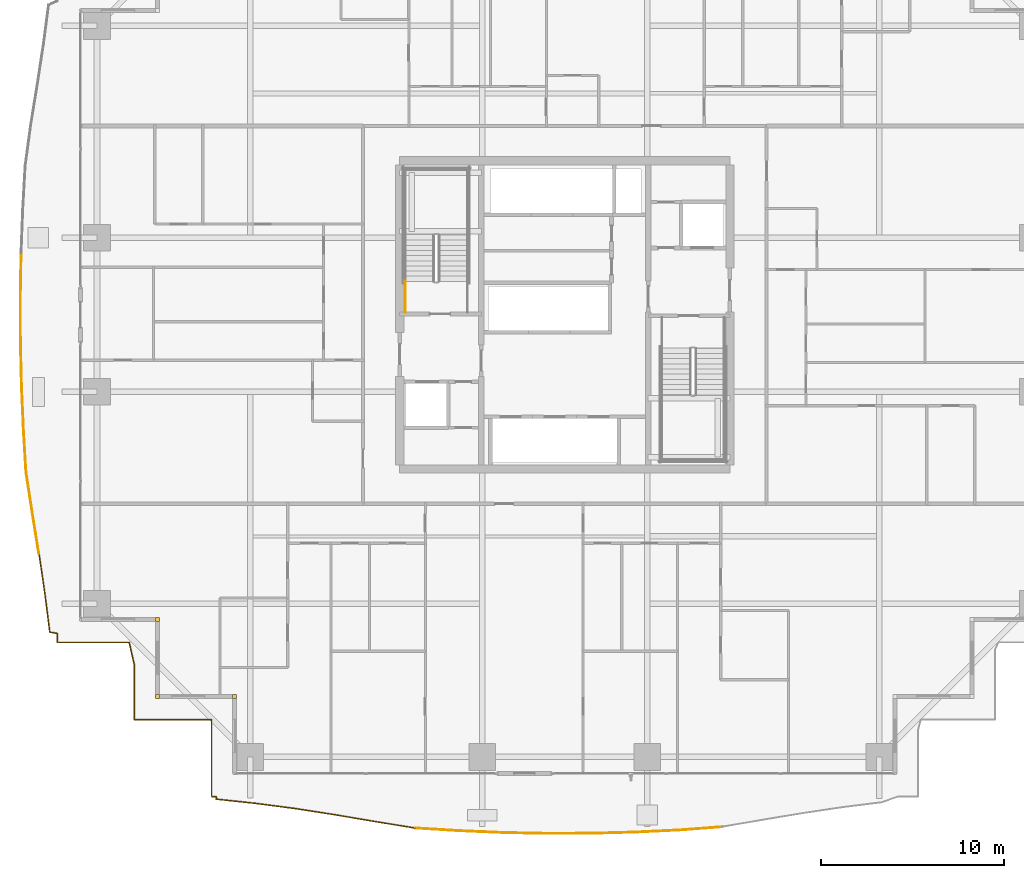
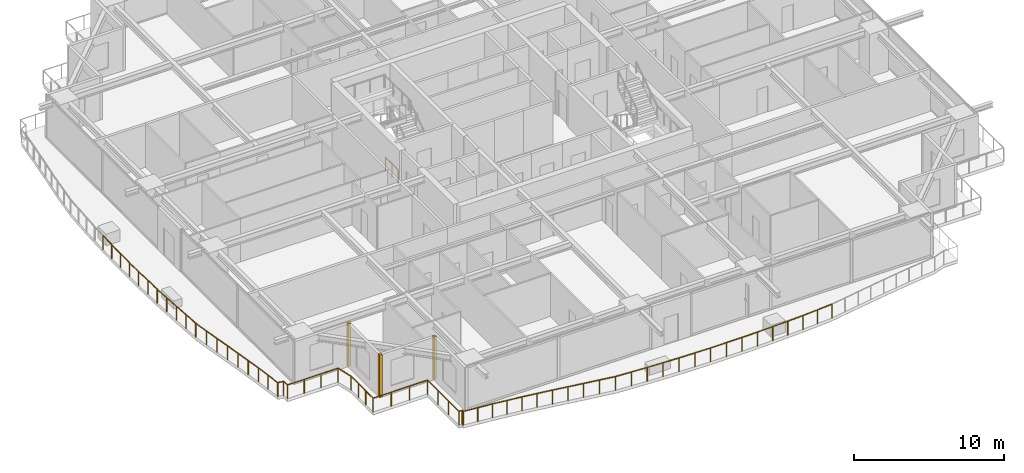
# One storey, part 35 of 41: 5 railings, 3 coverings.
"""IFC4 building model written with IfcOpenShell, lengths in metres."""

from ifc_helpers import new_model, si_unit, direction, frame, origin, origin_2d, place, context, subcontext, project, spatial, rectangle, circle, extrude, source, transform, mapped, material, layer, layer_set, type_object, element, save


model = new_model("IFC4")

# Units and contexts
model_context = context("Model", 3, precision=1e-05, world=origin(), true_north=direction((0.0, 1.0)))
body_context = subcontext(model_context, "Body", "Model", "MODEL_VIEW")
ifc_project = project(units=[si_unit("LENGTHUNIT", "METRE"), si_unit("AREAUNIT", "SQUARE_METRE"), si_unit("VOLUMEUNIT", "CUBIC_METRE"), si_unit("PLANEANGLEUNIT", "RADIAN"), si_unit("MASSUNIT", "GRAM", prefix="KILO")], contexts=[model_context])

# Site, building, storey
site_placement = place(None, origin())
site = spatial("IfcSite", under=ifc_project, at=site_placement, CompositionType="ELEMENT")
building_placement = place(site_placement, origin())
building = spatial("IfcBuilding", under=site, at=building_placement, Name="Serunith Strait Residences", CompositionType="ELEMENT")
storey_placement = place(building_placement, frame((0.0, 0.0, 75.449951171875)))
storey = spatial("IfcBuildingStorey", under=building, at=storey_placement, Name="L18", CompositionType="ELEMENT", Elevation=75.449951171875)

# Railings
ifc_material_1 = material(Name="Stainless Steel & Laminated Glass Balustrade", Category="steel")
railing_type_1 = type_object("IfcRailingType", Name="RLG-BALC-1150", PredefinedType="BALUSTRADE", material=ifc_material_1)
railing_1_placement = place(storey_placement, frame((13.139892578125, 3.139892578125, -0.050048828125)))
element("IfcRailing", 1, at=railing_1_placement, inside=storey, type_object=railing_type_1, Name="L18 Swirling Balcony Perimeter Balustrade 1", PredefinedType="BALUSTRADE", context=body_context, shape_type="SweptSolid", body=[
    extrude(circle(Radius=0.02392578125, at=origin_2d()), frame((-0.001953125, 0.0, 1.1259765625), z_axis=(-1.0, 0.0, 0.0), x_axis=(0.0, -1.0, 0.0)), (0.0, 0.0, 1.0), 4.196044921875),
    extrude(circle(Radius=0.02392578125, at=origin_2d()), frame((-4.199951171875, 0.001953125, 1.1259765625), z_axis=(0.0, 1.0, 0.0), x_axis=(-1.0, 0.0, 0.0)), (0.0, 0.0, 1.0), 2.9462890625),
    extrude(circle(Radius=0.02392578125, at=origin_2d()), frame((-4.200439453125, 2.9521484375, 1.1259765625), z_axis=(-0.22313496494, 0.974787560149, 0.0), x_axis=(-0.974787560149, -0.22313496494, 0.0)), (0.0, 0.0, 1.0), 1.2783203125),
    extrude(circle(Radius=0.02392578125, at=origin_2d()), frame((-4.488037109375, 4.2001953125, 1.1259765625), z_axis=(-1.0, 0.0, 0.0), x_axis=(0.0, -1.0, 0.0)), (0.0, 0.0, 1.0), 3.909912109375),
    extrude(circle(Radius=0.02392578125, at=origin_2d()), frame((-8.39990234375, 4.2021484375, 1.1259765625), z_axis=(0.0, 1.0, 0.0), x_axis=(-1.0, 0.0, 0.0)), (0.0, 0.0, 1.0), 0.489501953125),
    extrude(circle(Radius=0.02392578125, at=origin_2d()), frame((-8.40185546875, 4.69384765625, 1.1259765625), z_axis=(-0.987120325385, 0.159979571231, 0.0), x_axis=(-0.159979571231, -0.987120325385, 0.0)), (0.0, 0.0, 1.0), 0.417236328125),
    extrude(circle(Radius=0.02392578125, at=origin_2d()), frame((-8.81591796875, 4.762939453125, 1.1259765625), z_axis=(-0.126187217761, 0.992006444573, 0.0), x_axis=(-0.992006444573, -0.126187217761, 0.0)), (0.0, 0.0, 1.0), 2.1455078125),
    extrude(circle(Radius=0.02392578125, at=origin_2d()), frame((-9.087158203125, 6.895263671875, 1.1259765625), z_axis=(-0.14601660927, 0.989282138632, 0.0), x_axis=(-0.989282138632, -0.14601660927, 0.0)), (0.0, 0.0, 1.0), 2.174560546875),
    extrude(circle(Radius=0.02099609375, at=origin_2d()), origin(), (0.0, 0.0, 1.0), 1.099853515625),
    extrude(circle(Radius=0.02099609375, at=origin_2d()), frame((-1.39990234375, 0.0, 0.0)), (0.0, 0.0, 1.0), 1.099853515625),
    extrude(circle(Radius=0.02099609375, at=origin_2d()), frame((-2.800048828125, 0.0, 0.0)), (0.0, 0.0, 1.0), 1.099853515625),
    extrude(circle(Radius=0.02099609375, at=origin_2d()), frame((-4.199951171875, 0.0, 0.0)), (0.0, 0.0, 1.0), 1.099853515625),
    extrude(circle(Radius=0.02099609375, at=origin_2d()), frame((-4.199951171875, 0.9833984375, 0.0)), (0.0, 0.0, 1.0), 1.099853515625),
    extrude(circle(Radius=0.02099609375, at=origin_2d()), frame((-4.199951171875, 1.966796875, 0.0)), (0.0, 0.0, 1.0), 1.099853515625),
    extrude(circle(Radius=0.02099609375, at=origin_2d()), frame((-4.199951171875, 2.9501953125, 0.0)), (0.0, 0.0, 1.0), 1.099853515625),
    extrude(circle(Radius=0.02099609375, at=origin_2d()), frame((-4.486083984375, 4.2001953125, 0.0)), (0.0, 0.0, 1.0), 1.099853515625),
    extrude(circle(Radius=0.02099609375, at=origin_2d()), frame((-5.790771484375, 4.2001953125, 0.0)), (0.0, 0.0, 1.0), 1.099853515625),
    extrude(circle(Radius=0.02099609375, at=origin_2d()), frame((-7.09521484375, 4.2001953125, 0.0)), (0.0, 0.0, 1.0), 1.099853515625),
    extrude(circle(Radius=0.02099609375, at=origin_2d()), frame((-8.39990234375, 4.2001953125, 0.0)), (0.0, 0.0, 1.0), 1.099853515625),
    extrude(circle(Radius=0.02099609375, at=origin_2d()), frame((-8.39990234375, 4.693603515625, 0.0)), (0.0, 0.0, 1.0), 1.099853515625),
    extrude(circle(Radius=0.02099609375, at=origin_2d()), frame((-8.815673828125, 4.760986328125, 0.0)), (0.0, 0.0, 1.0), 1.099853515625),
    extrude(circle(Radius=0.02099609375, at=origin_2d()), frame((-8.951171875, 5.8271484375, 0.0)), (0.0, 0.0, 1.0), 1.099853515625),
    extrude(circle(Radius=0.02099609375, at=origin_2d()), frame((-9.0869140625, 6.893310546875, 0.0)), (0.0, 0.0, 1.0), 1.099853515625),
    extrude(circle(Radius=0.02099609375, at=origin_2d()), frame((-9.24609375, 7.970947265625, 0.0)), (0.0, 0.0, 1.0), 1.099853515625),
    extrude(circle(Radius=0.02099609375, at=origin_2d()), frame((-9.405029296875, 9.048583984375, 0.0)), (0.0, 0.0, 1.0), 1.099853515625),
])
railing_2_placement = place(storey_placement, frame((3.73486328125, 12.1884765625, -0.050048828125)))
element("IfcRailing", 2, at=railing_2_placement, inside=storey, type_object=railing_type_1, Name="L18 Swirling Balcony Perimeter Balustrade 2", PredefinedType="BALUSTRADE", context=body_context, shape_type="SweptSolid", body=[
    extrude(circle(Radius=0.02392578125, at=origin_2d()), frame((-0.000244140625, 0.001953125, 1.1259765625), z_axis=(-0.158980270064, 0.987281760052, 0.0), x_axis=(-0.987281760052, -0.158980270064, 0.0)), (0.0, 0.0, 1.0), 2.218017578125),
    extrude(circle(Radius=0.02392578125, at=origin_2d()), frame((-0.353515625, 2.19580078125, 1.1259765625), z_axis=(-0.152314745712, 0.988332038456, 0.0), x_axis=(-0.988332038456, -0.152314745712, 0.0)), (0.0, 0.0, 1.0), 2.275390625),
    extrude(circle(Radius=0.02392578125, at=origin_2d()), frame((-0.700439453125, 4.448486328125, 1.1259765625), z_axis=(-0.059456732095, 0.998230883618, 0.0), x_axis=(-0.998230883618, -0.059456732095, 0.0)), (0.0, 0.0, 1.0), 2.35302734375),
    extrude(circle(Radius=0.02392578125, at=origin_2d()), frame((-0.840576171875, 6.80126953125, 1.1259765625), z_axis=(-0.043139289992, 0.999069067512, 0.0), x_axis=(-0.999069067512, -0.043139289992, 0.0)), (0.0, 0.0, 1.0), 2.378662109375),
    extrude(circle(Radius=0.02392578125, at=origin_2d()), frame((-0.943359375, 9.181640625, 1.1259765625), z_axis=(-0.024008545211, 0.999711753335, 0.0), x_axis=(-0.999711753335, -0.024008545211, 0.0)), (0.0, 0.0, 1.0), 2.395751953125),
    extrude(circle(Radius=0.02392578125, at=origin_2d()), frame((-1.0009765625, 11.580810546875, 1.1259765625), z_axis=(-0.00314463854, 0.999995055612, 0.0), x_axis=(-0.999995055612, -0.00314463854, 0.0)), (0.0, 0.0, 1.0), 2.40283203125),
    extrude(circle(Radius=0.02392578125, at=origin_2d()), frame((-1.008544921875, 13.987548828125, 1.1259765625), z_axis=(0.018188047815, 0.999834583777, 0.0), x_axis=(-0.999834583777, 0.018188047815, 0.0)), (0.0, 0.0, 1.0), 2.398681640625),
    extrude(circle(Radius=0.02099609375, at=origin_2d()), origin(), (0.0, 0.0, 1.0), 1.099853515625),
    extrude(circle(Radius=0.02099609375, at=origin_2d()), frame((-0.1767578125, 1.096923828125, 0.0)), (0.0, 0.0, 1.0), 1.099853515625),
    extrude(circle(Radius=0.02099609375, at=origin_2d()), frame((-0.353271484375, 2.19384765625, 0.0)), (0.0, 0.0, 1.0), 1.099853515625),
    extrude(circle(Radius=0.02099609375, at=origin_2d()), frame((-0.52685546875, 3.3203125, 0.0)), (0.0, 0.0, 1.0), 1.099853515625),
    extrude(circle(Radius=0.02099609375, at=origin_2d()), frame((-0.700439453125, 4.446533203125, 0.0)), (0.0, 0.0, 1.0), 1.099853515625),
    extrude(circle(Radius=0.02099609375, at=origin_2d()), frame((-0.7705078125, 5.623046875, 0.0)), (0.0, 0.0, 1.0), 1.099853515625),
    extrude(circle(Radius=0.02099609375, at=origin_2d()), frame((-0.840576171875, 6.79931640625, 0.0)), (0.0, 0.0, 1.0), 1.099853515625),
    extrude(circle(Radius=0.02099609375, at=origin_2d()), frame((-0.89208984375, 7.989501953125, 0.0)), (0.0, 0.0, 1.0), 1.099853515625),
    extrude(circle(Radius=0.02099609375, at=origin_2d()), frame((-0.943359375, 9.1796875, 0.0)), (0.0, 0.0, 1.0), 1.099853515625),
    extrude(circle(Radius=0.02099609375, at=origin_2d()), frame((-0.97216796875, 10.37939453125, 0.0)), (0.0, 0.0, 1.0), 1.099853515625),
    extrude(circle(Radius=0.02099609375, at=origin_2d()), frame((-1.0009765625, 11.578857421875, 0.0)), (0.0, 0.0, 1.0), 1.099853515625),
    extrude(circle(Radius=0.02099609375, at=origin_2d()), frame((-1.0048828125, 12.7822265625, 0.0)), (0.0, 0.0, 1.0), 1.099853515625),
    extrude(circle(Radius=0.02099609375, at=origin_2d()), frame((-1.008544921875, 13.985595703125, 0.0)), (0.0, 0.0, 1.0), 1.099853515625),
    extrude(circle(Radius=0.02099609375, at=origin_2d()), frame((-0.98681640625, 15.186767578125, 0.0)), (0.0, 0.0, 1.0), 1.099853515625),
    extrude(circle(Radius=0.02099609375, at=origin_2d()), frame((-0.96484375, 16.387939453125, 0.0)), (0.0, 0.0, 1.0), 1.099853515625),
])
railing_3_placement = place(storey_placement, frame((40.99609375, -2.70947265625, -0.050048828125)))
element("IfcRailing", 3, at=railing_3_placement, inside=storey, type_object=railing_type_1, Name="L18 Swirling Balcony Perimeter Balustrade 7", PredefinedType="BALUSTRADE", context=body_context, shape_type="SweptSolid", body=[
    extrude(circle(Radius=0.02392578125, at=origin_2d()), frame((-0.001953125, -0.000244140625, 1.1259765625), z_axis=(-0.997147530697, -0.075477162276, 0.0), x_axis=(0.075477162276, -0.997147530697, 0.0)), (0.0, 0.0, 1.0), 2.35400390625),
    extrude(circle(Radius=0.02392578125, at=origin_2d()), frame((-2.353271484375, -0.177978515625, 1.1259765625), z_axis=(-0.998869522035, -0.047536069982, 0.0), x_axis=(0.047536069982, -0.998869522035, 0.0)), (0.0, 0.0, 1.0), 2.389404296875),
    extrude(circle(Radius=0.02392578125, at=origin_2d()), frame((-4.743896484375, -0.291748046875, 1.1259765625), z_axis=(-0.999651394546, -0.026402450311, 0.0), x_axis=(0.026402450311, -0.999651394546, 0.0)), (0.0, 0.0, 1.0), 2.409423828125),
    extrude(circle(Radius=0.02392578125, at=origin_2d()), frame((-7.156494140625, -0.35546875, 1.1259765625), z_axis=(-0.999994465754, -0.003326929869, 0.0), x_axis=(0.003326929869, -0.999994465754, 0.0)), (0.0, 0.0, 1.0), 2.417724609375),
    extrude(circle(Radius=0.02392578125, at=origin_2d()), frame((-9.578125, -0.363525390625, 1.1259765625), z_axis=(-0.999797913476, 0.020103039788, 0.0), x_axis=(-0.020103039788, -0.999797913476, 0.0)), (0.0, 0.0, 1.0), 2.412841796875),
    extrude(circle(Radius=0.02392578125, at=origin_2d()), frame((-11.994384765625, -0.31494140625, 1.1259765625), z_axis=(-0.999107848408, 0.042231590659, 0.0), x_axis=(-0.042231590659, -0.999107848408, 0.0)), (0.0, 0.0, 1.0), 2.39501953125),
    extrude(circle(Radius=0.02392578125, at=origin_2d()), frame((-14.391357421875, -0.21337890625, 1.1259765625), z_axis=(-0.998128341297, 0.061154021117, 0.0), x_axis=(-0.061154021117, -0.998128341297, 0.0)), (0.0, 0.0, 1.0), 2.367431640625),
    extrude(circle(Radius=0.02099609375, at=origin_2d()), origin(), (0.0, 0.0, 1.0), 1.099853515625),
    extrude(circle(Radius=0.02099609375, at=origin_2d()), frame((-1.17578125, -0.0888671875, 0.0)), (0.0, 0.0, 1.0), 1.099853515625),
    extrude(circle(Radius=0.02099609375, at=origin_2d()), frame((-2.351318359375, -0.177978515625, 0.0)), (0.0, 0.0, 1.0), 1.099853515625),
    extrude(circle(Radius=0.02099609375, at=origin_2d()), frame((-3.546630859375, -0.23486328125, 0.0)), (0.0, 0.0, 1.0), 1.099853515625),
    extrude(circle(Radius=0.02099609375, at=origin_2d()), frame((-4.741943359375, -0.291748046875, 0.0)), (0.0, 0.0, 1.0), 1.099853515625),
    extrude(circle(Radius=0.02099609375, at=origin_2d()), frame((-5.9482421875, -0.32373046875, 0.0)), (0.0, 0.0, 1.0), 1.099853515625),
    extrude(circle(Radius=0.02099609375, at=origin_2d()), frame((-7.154541015625, -0.35546875, 0.0)), (0.0, 0.0, 1.0), 1.099853515625),
    extrude(circle(Radius=0.02099609375, at=origin_2d()), frame((-8.365234375, -0.359375, 0.0)), (0.0, 0.0, 1.0), 1.099853515625),
    extrude(circle(Radius=0.02099609375, at=origin_2d()), frame((-9.576171875, -0.363525390625, 0.0)), (0.0, 0.0, 1.0), 1.099853515625),
    extrude(circle(Radius=0.02099609375, at=origin_2d()), frame((-10.7841796875, -0.33935546875, 0.0)), (0.0, 0.0, 1.0), 1.099853515625),
    extrude(circle(Radius=0.02099609375, at=origin_2d()), frame((-11.992431640625, -0.31494140625, 0.0)), (0.0, 0.0, 1.0), 1.099853515625),
    extrude(circle(Radius=0.02099609375, at=origin_2d()), frame((-13.19091796875, -0.26416015625, 0.0)), (0.0, 0.0, 1.0), 1.099853515625),
    extrude(circle(Radius=0.02099609375, at=origin_2d()), frame((-14.389404296875, -0.213623046875, 0.0)), (0.0, 0.0, 1.0), 1.099853515625),
    extrude(circle(Radius=0.02099609375, at=origin_2d()), frame((-15.57275390625, -0.14111328125, 0.0)), (0.0, 0.0, 1.0), 1.099853515625),
    extrude(circle(Radius=0.02099609375, at=origin_2d()), frame((-16.75634765625, -0.068603515625, 0.0)), (0.0, 0.0, 1.0), 1.099853515625),
])
railing_4_placement = place(storey_placement, frame((24.23974609375, -2.778076171875, -0.050048828125)))
element("IfcRailing", 4, at=railing_4_placement, inside=storey, type_object=railing_type_1, Name="L18 Swirling Balcony Perimeter Balustrade 8", PredefinedType="BALUSTRADE", context=body_context, shape_type="SweptSolid", body=[
    extrude(circle(Radius=0.02392578125, at=origin_2d()), frame((-0.001953125, 0.000244140625, 1.1259765625), z_axis=(-0.986930802609, 0.161144627156, 0.0), x_axis=(-0.161144627156, -0.986930802609, 0.0)), (0.0, 0.0, 1.0), 2.28369140625),
    extrude(circle(Radius=0.02392578125, at=origin_2d()), frame((-2.259765625, 0.368896484375, 1.1259765625), z_axis=(-0.985869808903, 0.167513342433, 0.0), x_axis=(-0.167513342433, -0.985869808903, 0.0)), (0.0, 0.0, 1.0), 2.219970703125),
    extrude(circle(Radius=0.02392578125, at=origin_2d()), frame((-4.452392578125, 0.741455078125, 1.1259765625), z_axis=(-0.988313271516, 0.152436469866, 0.0), x_axis=(-0.152436469866, -0.988313271516, 0.0)), (0.0, 0.0, 1.0), 2.172607421875),
    extrude(circle(Radius=0.02392578125, at=origin_2d()), frame((-6.603515625, 1.0732421875, 1.1259765625), z_axis=(-0.991541956233, 0.129786551802, 0.0), x_axis=(-0.129786551802, -0.991541956233, 0.0)), (0.0, 0.0, 1.0), 2.142333984375),
    extrude(circle(Radius=0.02392578125, at=origin_2d()), frame((-8.731689453125, 1.351806640625, 1.1259765625), z_axis=(-0.994444405459, 0.105263120089, 0.0), x_axis=(-0.105263120089, -0.994444405459, 0.0)), (0.0, 0.0, 1.0), 2.12744140625),
    extrude(circle(Radius=0.02392578125, at=origin_2d()), frame((-10.849365234375, 1.577880859375, 1.1259765625), z_axis=(0.008590748272, 0.999963098841, 0.0), x_axis=(-0.999963098841, 0.008590748272, 0.0)), (0.0, 0.0, 1.0), 0.13818359375),
    extrude(circle(Radius=0.02392578125, at=origin_2d()), frame((-10.85009765625, 1.718017578125, 1.1259765625), z_axis=(-1.0, 0.0, 0.0), x_axis=(0.0, -1.0, 0.0)), (0.0, 0.0, 1.0), 0.247802734375),
    extrude(circle(Radius=0.02392578125, at=origin_2d()), frame((-11.099853515625, 1.719970703125, 1.1259765625), z_axis=(0.0, 1.0, 0.0), x_axis=(-1.0, 0.0, 0.0)), (0.0, 0.0, 1.0), 4.196044921875),
    extrude(circle(Radius=0.02099609375, at=origin_2d()), origin(), (0.0, 0.0, 1.0), 1.099853515625),
    extrude(circle(Radius=0.02099609375, at=origin_2d()), frame((-1.12890625, 0.184326171875, 0.0)), (0.0, 0.0, 1.0), 1.099853515625),
    extrude(circle(Radius=0.02099609375, at=origin_2d()), frame((-2.2578125, 0.36865234375, 0.0)), (0.0, 0.0, 1.0), 1.099853515625),
    extrude(circle(Radius=0.02099609375, at=origin_2d()), frame((-3.35400390625, 0.554931640625, 0.0)), (0.0, 0.0, 1.0), 1.099853515625),
    extrude(circle(Radius=0.02099609375, at=origin_2d()), frame((-4.450439453125, 0.7412109375, 0.0)), (0.0, 0.0, 1.0), 1.099853515625),
    extrude(circle(Radius=0.02099609375, at=origin_2d()), frame((-5.52587890625, 0.9072265625, 0.0)), (0.0, 0.0, 1.0), 1.099853515625),
    extrude(circle(Radius=0.02099609375, at=origin_2d()), frame((-6.6015625, 1.072998046875, 0.0)), (0.0, 0.0, 1.0), 1.099853515625),
    extrude(circle(Radius=0.02099609375, at=origin_2d()), frame((-7.66552734375, 1.21240234375, 0.0)), (0.0, 0.0, 1.0), 1.099853515625),
    extrude(circle(Radius=0.02099609375, at=origin_2d()), frame((-8.729736328125, 1.3515625, 0.0)), (0.0, 0.0, 1.0), 1.099853515625),
    extrude(circle(Radius=0.02099609375, at=origin_2d()), frame((-9.78955078125, 1.4638671875, 0.0)), (0.0, 0.0, 1.0), 1.099853515625),
    extrude(circle(Radius=0.02099609375, at=origin_2d()), frame((-10.849365234375, 1.575927734375, 0.0)), (0.0, 0.0, 1.0), 1.099853515625),
    extrude(circle(Radius=0.02099609375, at=origin_2d()), frame((-10.84814453125, 1.718017578125, 0.0)), (0.0, 0.0, 1.0), 1.099853515625),
    extrude(circle(Radius=0.02099609375, at=origin_2d()), frame((-11.099853515625, 1.718017578125, 0.0)), (0.0, 0.0, 1.0), 1.099853515625),
    extrude(circle(Radius=0.02099609375, at=origin_2d()), frame((-11.099853515625, 3.117919921875, 0.0)), (0.0, 0.0, 1.0), 1.099853515625),
    extrude(circle(Radius=0.02099609375, at=origin_2d()), frame((-11.099853515625, 4.51806640625, 0.0)), (0.0, 0.0, 1.0), 1.099853515625),
    extrude(circle(Radius=0.02099609375, at=origin_2d()), frame((-11.099853515625, 5.91796875, 0.0)), (0.0, 0.0, 1.0), 1.099853515625),
])
ifc_material_2 = material(Name="Brushed stainless steel 316L", Category="steel")
railing_type_2 = type_object("IfcRailingType", Name="RLG-STAIR-GUARD", PredefinedType="BALUSTRADE", material=ifc_material_2)
railing_5_placement = place(storey_placement, frame((23.699951171875, 25.35009765625, 0.0)))
element("IfcRailing", 5, at=railing_5_placement, inside=storey, type_object=railing_type_2, Name="L18 ST-1 stair guard 9", PredefinedType="BALUSTRADE", context=body_context, shape_type="SweptSolid", body=[
    extrude(circle(Radius=0.02392578125, at=origin_2d()), frame((0.0, 0.001953125, 1.076171875), z_axis=(0.0, 1.0, 0.0), x_axis=(-1.0, 0.0, 0.0)), (0.0, 0.0, 1.0), 1.676025390625),
    extrude(circle(Radius=0.02099609375, at=origin_2d()), origin(), (0.0, 0.0, 1.0), 1.050048828125),
    extrude(circle(Radius=0.02099609375, at=origin_2d()), frame((0.0, 0.83984375, 0.0)), (0.0, 0.0, 1.0), 1.050048828125),
    extrude(circle(Radius=0.02099609375, at=origin_2d()), frame((0.0, 1.679931640625, 0.0)), (0.0, 0.0, 1.0), 1.050048828125),
])

# Coverings
ifc_material_3 = material(Name="Pale-Champagne Anodised Aluminium", Category="aluminium")
ifc_layer = layer(ifc_material_3, 0.219970703125, Name="Pale-Champagne Anodised Aluminium")
ifc_layer_set = layer_set([ifc_layer], Name="Pale-Champagne Anodised Aluminium")
covering_type = type_object("IfcCoveringType", Name="COV-CORN-TRIM", PredefinedType="CLADDING", material=ifc_layer_set)
shared_shape = source(origin(), body_context, "Body", "SweptSolid", [
    extrude(rectangle(XDim=0.221923828125, YDim=0.221923828125, at=origin_2d()), origin(), (0.0, 0.0, 1.0), 3.47509765625),
])
for number, where, z_axis, x_axis, name in (
    (6, (10.199951171875, 8.60009765625, 0.0), (0.0, 0.0, 1.0), (1.0, 0.0, 0.0), "L18 Girih Serrated Corner Trim Post 17"),
    (7, (10.199951171875, 4.39990234375, 0.0), (0.0, 0.0, 1.0), (1.0, 0.0, 0.0), "L18 Girih Serrated Corner Trim Post 18"),
    (8, (14.39990234375, 4.39990234375, 0.0), (0.0, 0.0, 1.0), (1.0, 0.0, 0.0), "L18 Girih Serrated Corner Trim Post 19"),
):
    element("IfcCovering", number, at=place(storey_placement, frame(where, z_axis=z_axis, x_axis=x_axis)), inside=storey, type_object=covering_type, Name=name, PredefinedType="CLADDING", context=body_context, shape_type="MappedRepresentation", body=[
        mapped(shared_shape, transform((0.0, 0.0, 0.0), scale=1.0)),
    ])

save(model, "model.ifc")
